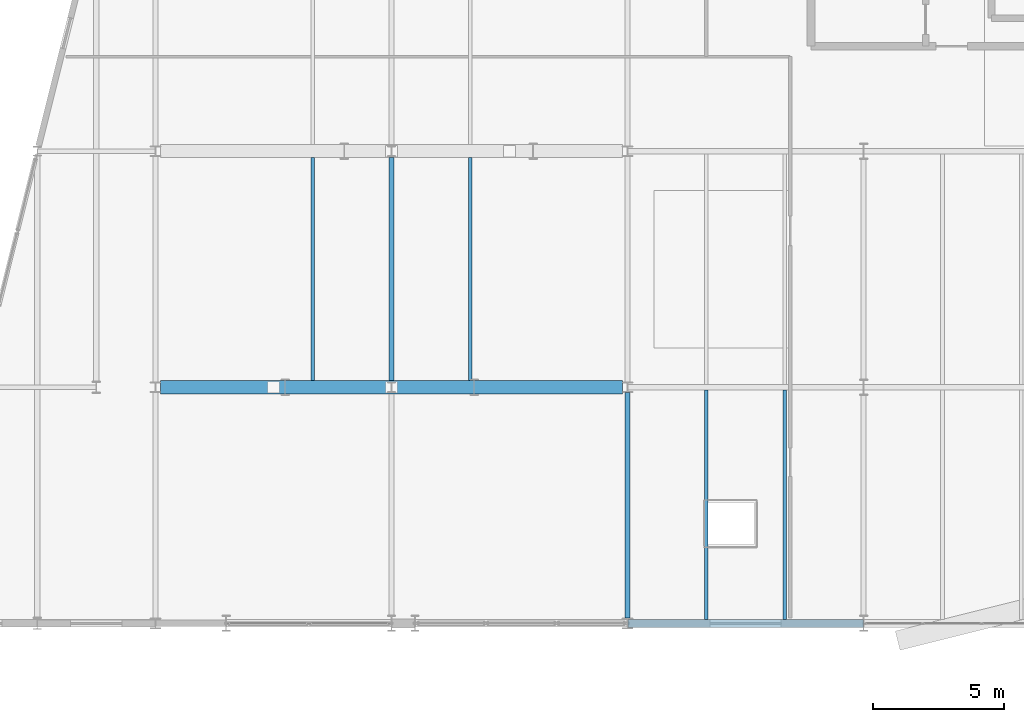
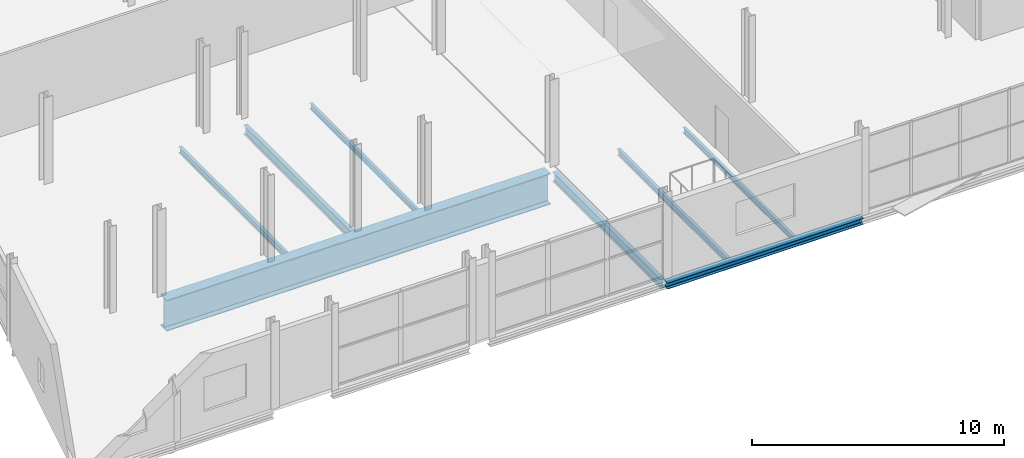
# One storey, part 78 of 135: 8 beams.
"""IFC4 building model written with IfcOpenShell, lengths in metres."""

from ifc_helpers import new_model, si_unit, direction, frame, origin, origin_2d, place, context, subcontext, project, spatial, i_section, extrude, material, material_profile, profile_set, type_object, element, save


model = new_model("IFC4")

# Units and contexts
model_context = context("Model", 3, precision=1e-05, world=origin(), true_north=direction((0.0, 1.0)))
body_context = subcontext(model_context, "Body", "Model", "MODEL_VIEW")
ifc_project = project(units=[si_unit("LENGTHUNIT", "METRE"), si_unit("AREAUNIT", "SQUARE_METRE"), si_unit("VOLUMEUNIT", "CUBIC_METRE"), si_unit("PLANEANGLEUNIT", "RADIAN"), si_unit("MASSUNIT", "GRAM", prefix="KILO")], contexts=[model_context])

# Site, building, storey
site_placement = place(None, origin())
site = spatial("IfcSite", under=ifc_project, at=site_placement, CompositionType="ELEMENT")
building_placement = place(site_placement, origin())
building = spatial("IfcBuilding", under=site, at=building_placement, Name="Deido Ridge Mobility Hub", CompositionType="ELEMENT")
storey_placement = place(building_placement, frame((0.0, 0.0, 4.199951171875)))
storey = spatial("IfcBuildingStorey", under=building, at=storey_placement, Name="L01", CompositionType="ELEMENT", Elevation=4.199951171875)

# Beams
ifc_material = material(Name="Steel S355J2 EN 10025-2", Category="steel")
ifc_material_profile_1 = material_profile(ifc_material, i_section(OverallWidth=0.18994140625, OverallDepth=0.449951171875, WebThickness=0.009521484375, FlangeThickness=0.0146484375, FilletRadius=0.02099609375, at=origin_2d()), Name="IPE 450")
ifc_profile_set_1 = profile_set([ifc_material_profile_1], Name="Steel S355J2 EN 10025-2")
beam_type_1 = type_object("IfcBeamType", Name="BM-IPE450", PredefinedType="BEAM", material=ifc_profile_set_1)
beam_1_placement = place(storey_placement, frame((135.0, 9.25, -0.474853515625), z_axis=(0.0, 1.0, 0.0), x_axis=(-1.0, 0.0, 0.0)))
element("IfcBeam", 1, at=beam_1_placement, inside=storey, type_object=beam_type_1, Name="Floor beam B4", PredefinedType="BEAM", context=body_context, shape_type="SweptSolid", body=[
    extrude(i_section(OverallWidth=0.18994140625, OverallDepth=0.449951171875, WebThickness=0.009521484375, FlangeThickness=0.0146484375, FilletRadius=0.02099609375, at=origin_2d()), origin(), (0.0, 0.0, 1.0), 8.5),
])
beam_2_placement = place(storey_placement, frame((144.0, 0.196533203125, -0.474853515625), z_axis=(0.0, 1.0, 0.0), x_axis=(-1.0, 0.0, 0.0)))
element("IfcBeam", 2, at=beam_2_placement, inside=storey, type_object=beam_type_1, Name="Floor beam B4", PredefinedType="BEAM", context=body_context, shape_type="SweptSolid", body=[
    extrude(i_section(OverallWidth=0.18994140625, OverallDepth=0.449951171875, WebThickness=0.009521484375, FlangeThickness=0.0146484375, FilletRadius=0.02099609375, at=origin_2d()), origin(), (0.0, 0.0, 1.0), 8.60693359375),
])
ifc_material_profile_2 = material_profile(ifc_material, i_section(OverallWidth=0.5, OverallDepth=1.5, WebThickness=0.02197265625, FlangeThickness=0.0380859375, FilletRadius=0.01806640625, at=origin_2d()), Name="WTG 1500x500")
ifc_profile_set_2 = profile_set([ifc_material_profile_2], Name="Steel S355J2 EN 10025-2")
beam_type_2 = type_object("IfcBeamType", Name="BM-TG-1500", PredefinedType="USERDEFINED", material=ifc_profile_set_2)
beam_3_placement = place(storey_placement, frame((126.199462890625, 9.0, -1.0), z_axis=(1.0, 0.0, 0.0), x_axis=(0.0, 1.0, 0.0)))
element("IfcBeam", 3, at=beam_3_placement, inside=storey, type_object=beam_type_2, Name="Transfer girder TG1", ObjectType="TRANSFER GIRDER", PredefinedType="USERDEFINED", context=body_context, shape_type="SweptSolid", body=[
    extrude(i_section(OverallWidth=0.5, OverallDepth=1.5, WebThickness=0.02197265625, FlangeThickness=0.0380859375, FilletRadius=0.01806640625, at=origin_2d()), origin(), (0.0, 0.0, 1.0), 17.60107421875),
])
ifc_material_profile_3 = material_profile(ifc_material, i_section(OverallWidth=0.135009765625, OverallDepth=0.27001953125, WebThickness=0.006591796875, FlangeThickness=0.01025390625, FilletRadius=0.014892578125, at=origin_2d()), Name="IPE 270")
ifc_profile_set_3 = profile_set([ifc_material_profile_3], Name="Steel S355J2 EN 10025-2")
beam_type_3 = type_object("IfcBeamType", Name="JST-IPE270", PredefinedType="JOIST", material=ifc_profile_set_3)
beam_4_placement = place(storey_placement, frame((150.0, 0.14990234375, -0.385009765625), z_axis=(0.0, 1.0, 0.0), x_axis=(-1.0, 0.0, 0.0)))
element("IfcBeam", 4, at=beam_4_placement, inside=storey, type_object=beam_type_3, Name="Composite joist J4", PredefinedType="JOIST", context=body_context, shape_type="SweptSolid", body=[
    extrude(i_section(OverallWidth=0.135009765625, OverallDepth=0.27001953125, WebThickness=0.006591796875, FlangeThickness=0.01025390625, FilletRadius=0.014892578125, at=origin_2d()), origin(), (0.0, 0.0, 1.0), 8.75),
])
beam_5_placement = place(storey_placement, frame((138.0, 9.25, -0.385009765625), z_axis=(0.0, 1.0, 0.0), x_axis=(-1.0, 0.0, 0.0)))
element("IfcBeam", 5, at=beam_5_placement, inside=storey, type_object=beam_type_3, Name="Composite joist J4", PredefinedType="JOIST", context=body_context, shape_type="SweptSolid", body=[
    extrude(i_section(OverallWidth=0.135009765625, OverallDepth=0.27001953125, WebThickness=0.006591796875, FlangeThickness=0.01025390625, FilletRadius=0.014892578125, at=origin_2d()), origin(), (0.0, 0.0, 1.0), 8.5),
])
ifc_material_profile_4 = material_profile(ifc_material, i_section(OverallWidth=0.14990234375, OverallDepth=0.300048828125, WebThickness=0.007080078125, FlangeThickness=0.0107421875, FilletRadius=0.014892578125, at=origin_2d()), Name="IPE 300")
ifc_profile_set_4 = profile_set([ifc_material_profile_4], Name="Steel S355J2 EN 10025-2")
beam_type_4 = type_object("IfcBeamType", Name="JST-IPE300", PredefinedType="JOIST", material=ifc_profile_set_4)
beam_6_placement = place(storey_placement, frame((147.0, 0.14990234375, -0.39990234375), z_axis=(0.0, 1.0, 0.0), x_axis=(-1.0, 0.0, 0.0)))
element("IfcBeam", 6, at=beam_6_placement, inside=storey, type_object=beam_type_4, Name="Composite joist J3", PredefinedType="JOIST", context=body_context, shape_type="SweptSolid", body=[
    extrude(i_section(OverallWidth=0.14990234375, OverallDepth=0.300048828125, WebThickness=0.007080078125, FlangeThickness=0.0107421875, FilletRadius=0.014892578125, at=origin_2d()), origin(), (0.0, 0.0, 1.0), 8.75),
])
beam_7_placement = place(storey_placement, frame((132.0, 9.25, -0.39990234375), z_axis=(0.0, 1.0, 0.0), x_axis=(-1.0, 0.0, 0.0)))
element("IfcBeam", 7, at=beam_7_placement, inside=storey, type_object=beam_type_4, Name="Composite joist J3", PredefinedType="JOIST", context=body_context, shape_type="SweptSolid", body=[
    extrude(i_section(OverallWidth=0.14990234375, OverallDepth=0.300048828125, WebThickness=0.007080078125, FlangeThickness=0.0107421875, FilletRadius=0.014892578125, at=origin_2d()), origin(), (0.0, 0.0, 1.0), 8.5),
])
ifc_material_profile_5 = material_profile(ifc_material, i_section(OverallWidth=0.300048828125, OverallDepth=0.300048828125, WebThickness=0.010986328125, FlangeThickness=0.01904296875, FilletRadius=0.027099609375, at=origin_2d()), Name="HEB 300")
ifc_profile_set_5 = profile_set([ifc_material_profile_5], Name="Steel S355J2 EN 10025-2")
beam_type_5 = type_object("IfcBeamType", Name="SPD-HEB300", PredefinedType="SPANDREL", material=ifc_profile_set_5)
beam_8_placement = place(storey_placement, frame((144.0087890625, 0.0, -0.39990234375), z_axis=(1.0, 0.0, 0.0), x_axis=(0.0, 1.0, 0.0)))
element("IfcBeam", 8, at=beam_8_placement, inside=storey, type_object=beam_type_5, Name="Floor beam SP1", PredefinedType="SPANDREL", context=body_context, shape_type="SweptSolid", body=[
    extrude(i_section(OverallWidth=0.300048828125, OverallDepth=0.300048828125, WebThickness=0.010986328125, FlangeThickness=0.01904296875, FilletRadius=0.027099609375, at=origin_2d()), origin(), (0.0, 0.0, 1.0), 8.9833984375),
])

save(model, "model.ifc")
